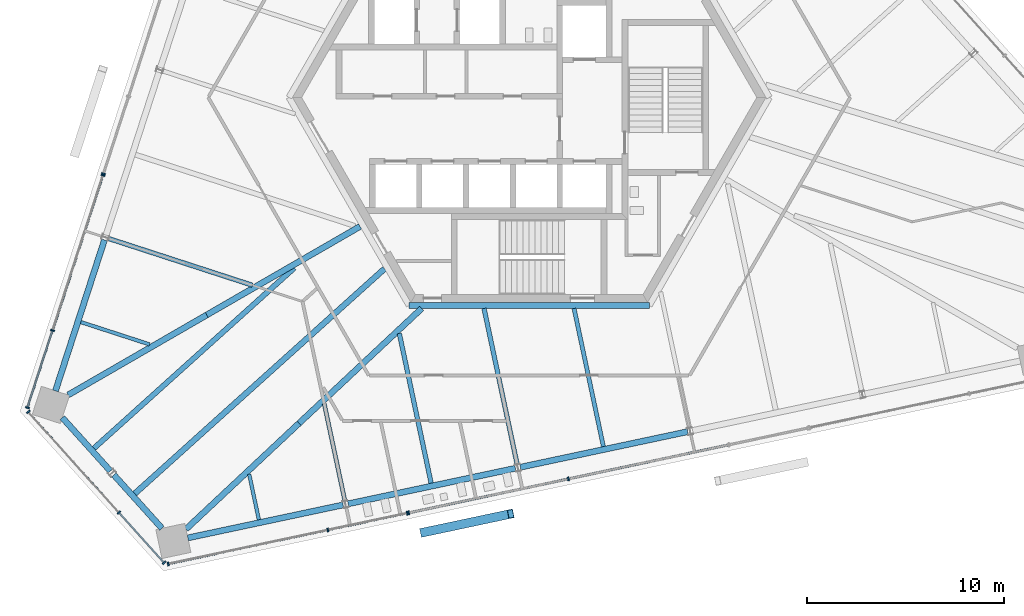
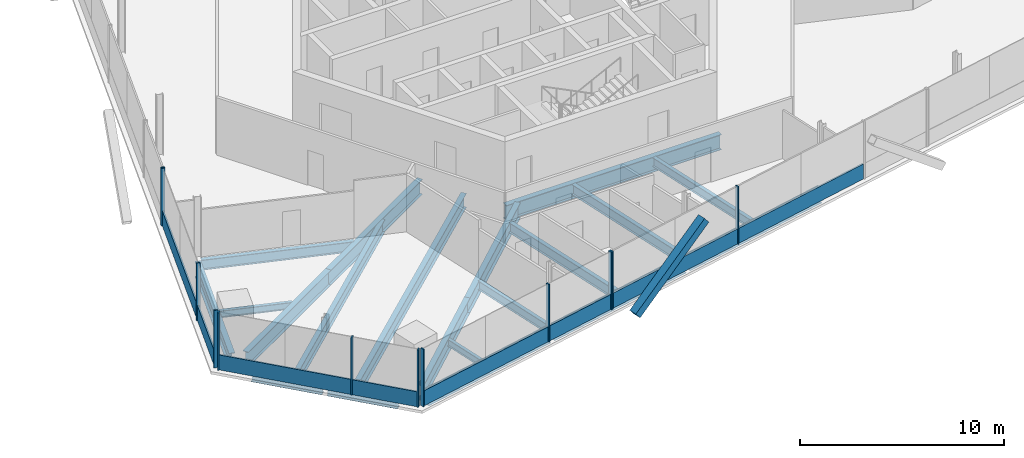
# One storey, part 4 of 15: 21 members, 20 beams, 5 elements without a shape of their own.
"""IFC4 building model written with IfcOpenShell, lengths in metres."""

from ifc_helpers import new_model, si_unit, direction, frame, origin, origin_2d, place, context, subcontext, project, spatial, rectangle, hollow_rectangle, i_section, extrude, source, transform, mapped, material, material_profile, profile_set, type_object, element, aggregate, save


model = new_model("IFC4")

# Units and contexts
model_context = context("Model", 3, precision=1e-05, world=origin(), true_north=direction((0.0, 1.0)))
body_context = subcontext(model_context, "Body", "Model", "MODEL_VIEW")
ifc_project = project(units=[si_unit("LENGTHUNIT", "METRE"), si_unit("AREAUNIT", "SQUARE_METRE"), si_unit("VOLUMEUNIT", "CUBIC_METRE"), si_unit("PLANEANGLEUNIT", "RADIAN"), si_unit("MASSUNIT", "GRAM", prefix="KILO")], contexts=[model_context])

# Site, building, storey
site_placement = place(None, origin())
site = spatial("IfcSite", under=ifc_project, at=site_placement, CompositionType="ELEMENT")
building_placement = place(site_placement, origin())
building = spatial("IfcBuilding", under=site, at=building_placement, Name="Triune Harvest Tower", CompositionType="ELEMENT")
storey_placement = place(building_placement, frame((0.0, 0.0, 270.300048828125)))
storey = spatial("IfcBuildingStorey", under=building, at=storey_placement, Name="L71", CompositionType="ELEMENT", Elevation=270.300048828125)

# Beams
ifc_material_1 = material(Name="Steel ASTM A992 Gr 50", Category="steel")
ifc_material_profile_1 = material_profile(ifc_material_1, i_section(OverallWidth=0.3046875, OverallDepth=0.914306640625, WebThickness=0.0166015625, FlangeThickness=0.02587890625, at=origin_2d()), Name="W36x160")
ifc_profile_set_1 = profile_set([ifc_material_profile_1], Name="Steel ASTM A992 Gr 50")
beam_type_1 = type_object("IfcBeamType", Name="CG-1 Core ring girder W36x160", PredefinedType="BEAM", material=ifc_profile_set_1)
shared_shape_1 = source(origin(), body_context, "Body", "SweptSolid", [
    extrude(i_section(OverallWidth=0.3046875, OverallDepth=0.914306640625, WebThickness=0.0166015625, FlangeThickness=0.02587890625, at=origin_2d()), origin(), (0.0, 0.0, 1.0), 12.17578125),
])
beam_1_placement = place(storey_placement, frame((-6.087890625, -10.544677734375, -0.6171875), z_axis=(1.0, 0.0, 0.0), x_axis=(0.0, 1.0, 0.0)))
element("IfcBeam", 1, at=beam_1_placement, inside=storey, type_object=beam_type_1, Name="beam/L71/CG5", PredefinedType="BEAM", context=body_context, shape_type="MappedRepresentation", body=[
    mapped(shared_shape_1, transform((0.0, 0.0, 0.0), scale=1.0)),
])
ifc_material_2 = material(Name="Steel ASTM A992 Gr 50", Category="steel")
ifc_material_profile_2 = material_profile(ifc_material_2, i_section(OverallWidth=0.3046875, OverallDepth=0.914306640625, WebThickness=0.0166015625, FlangeThickness=0.02587890625, at=origin_2d()), Name="W36x160")
ifc_profile_set_2 = profile_set([ifc_material_profile_2], Name="Steel ASTM A992 Gr 50")
beam_type_2 = type_object("IfcBeamType", Name="HG-3 Hip girder W36x160", PredefinedType="BEAM", material=ifc_profile_set_2)
shared_shape_2 = source(origin(), body_context, "Body", "SweptSolid", [
    extrude(i_section(OverallWidth=0.3046875, OverallDepth=0.914306640625, WebThickness=0.0166015625, FlangeThickness=0.02587890625, at=origin_2d()), origin(), (0.0, 0.0, 1.0), 8.97265625),
])
beam_2_placement = place(storey_placement, frame((-16.34619140625, -11.02734375, -0.6171875), z_axis=(0.866024277037, 0.500001951578, 0.0), x_axis=(-0.500001951578, 0.866024277037, 0.0)))
element("IfcBeam", 2, at=beam_2_placement, inside=storey, type_object=beam_type_2, Name="beam/L71/HG5", PredefinedType="BEAM", context=body_context, shape_type="MappedRepresentation", body=[
    mapped(shared_shape_2, transform((0.0, 0.0, 0.0), scale=1.0)),
])
ifc_material_3 = material(Name="Steel ASTM A992 Gr 50", Category="steel")
ifc_material_profile_3 = material_profile(ifc_material_3, i_section(OverallWidth=0.3046875, OverallDepth=0.914306640625, WebThickness=0.0166015625, FlangeThickness=0.02587890625, at=origin_2d()), Name="W36x160")
ifc_profile_set_3 = profile_set([ifc_material_profile_3], Name="Steel ASTM A992 Gr 50")
beam_type_3 = type_object("IfcBeamType", Name="SB-1 Spandrel beam W36x160", PredefinedType="SPANDREL", material=ifc_profile_set_3)
shared_shape_3 = source(origin(), body_context, "Body", "SweptSolid", [
    extrude(i_section(OverallWidth=0.3046875, OverallDepth=0.914306640625, WebThickness=0.0166015625, FlangeThickness=0.02587890625, at=origin_2d()), origin(), (0.0, 0.0, 1.0), 8.0498046875),
])
beam_3_placement = place(storey_placement, frame((-21.529296875, -7.220703125, -0.6171875), z_axis=(-0.30902160762, -0.951055017348, 0.0), x_axis=(0.951055017348, -0.30902160762, 0.0)))
element("IfcBeam", 3, at=beam_3_placement, inside=storey, type_object=beam_type_3, Name="beam/L71/SB12", PredefinedType="SPANDREL", context=body_context, shape_type="MappedRepresentation", body=[
    mapped(shared_shape_3, transform((0.0, 0.0, 0.0), scale=1.0)),
])
shared_shape_4 = source(origin(), body_context, "Body", "SweptSolid", [
    extrude(i_section(OverallWidth=0.3046875, OverallDepth=0.914306640625, WebThickness=0.0166015625, FlangeThickness=0.02587890625, at=origin_2d()), origin(), (0.0, 0.0, 1.0), 8.67138671875),
])
for number, where, z_axis, x_axis, name in (
    (4, (-9.1806640625, -20.603271484375, -0.6171875), (0.978145539793, 0.207921386546, 0.0), (-0.207921386546, 0.978145539793, 0.0), "beam/L71/SB16"),
    (5, (-0.44775390625, -18.7470703125, -0.6171875), (0.978145539793, 0.207921386546, 0.0), (-0.207921386546, 0.978145539793, 0.0), "beam/L71/SB17"),
):
    element("IfcBeam", number, at=place(storey_placement, frame(where, z_axis=z_axis, x_axis=x_axis)), inside=storey, type_object=beam_type_3, Name=name, PredefinedType="SPANDREL", context=body_context, shape_type="MappedRepresentation", body=[
        mapped(shared_shape_4, transform((0.0, 0.0, 0.0), scale=1.0)),
    ])
shared_shape_5 = source(origin(), body_context, "Body", "SweptSolid", [
    extrude(i_section(OverallWidth=0.3046875, OverallDepth=0.914306640625, WebThickness=0.0166015625, FlangeThickness=0.02587890625, at=origin_2d()), origin(), (0.0, 0.0, 1.0), 3.645751953125),
])
for number, where, z_axis, x_axis, name in (
    (6, (-23.669189453125, -16.2333984375, -0.6171875), (0.669138606654, -0.743137621901, 0.0), (0.743137621901, 0.669138606654, 0.0), "beam/L71/SB13"),
    (7, (-21.05810546875, -19.13330078125, -0.6171875), (0.669138606654, -0.743137621901, 0.0), (0.743137621901, 0.669138606654, 0.0), "beam/L71/SB14"),
):
    element("IfcBeam", number, at=place(storey_placement, frame(where, z_axis=z_axis, x_axis=x_axis)), inside=storey, type_object=beam_type_3, Name=name, PredefinedType="SPANDREL", context=body_context, shape_type="MappedRepresentation", body=[
        mapped(shared_shape_5, transform((0.0, 0.0, 0.0), scale=1.0)),
    ])
shared_shape_6 = source(origin(), body_context, "Body", "SweptSolid", [
    extrude(i_section(OverallWidth=0.3046875, OverallDepth=0.914306640625, WebThickness=0.0166015625, FlangeThickness=0.02587890625, at=origin_2d()), origin(), (0.0, 0.0, 1.0), 8.049560546875),
])
beam_4_placement = place(storey_placement, frame((-17.305419921875, -22.330322265625, -0.6171875), z_axis=(0.978148597907, 0.207906999431, 0.0), x_axis=(-0.207906999431, 0.978148597907, 0.0)))
element("IfcBeam", 8, at=beam_4_placement, inside=storey, type_object=beam_type_3, Name="beam/L71/SB15", PredefinedType="SPANDREL", context=body_context, shape_type="MappedRepresentation", body=[
    mapped(shared_shape_6, transform((0.0, 0.0, 0.0), scale=1.0)),
])
shared_shape_7 = source(origin(), body_context, "Body", "SweptSolid", [
    extrude(i_section(OverallWidth=0.3046875, OverallDepth=0.914306640625, WebThickness=0.0166015625, FlangeThickness=0.02587890625, at=origin_2d()), origin(), (0.0, 0.0, 1.0), 8.11572265625),
])
beam_5_placement = place(storey_placement, frame((-23.37451171875, -15.085205078125, -0.6171875), z_axis=(0.866022271607, 0.500005425051, 0.0), x_axis=(-0.500005425051, 0.866022271607, 0.0)))
element("IfcBeam", 9, at=beam_5_placement, inside=storey, type_object=beam_type_2, Name="beam/L71/HG4", PredefinedType="BEAM", context=body_context, shape_type="MappedRepresentation", body=[
    mapped(shared_shape_7, transform((0.0, 0.0, 0.0), scale=1.0)),
])
shared_shape_8 = source(origin(), body_context, "Body", "SweptSolid", [
    extrude(i_section(OverallWidth=0.3046875, OverallDepth=0.914306640625, WebThickness=0.0166015625, FlangeThickness=0.02587890625, at=origin_2d()), origin(), (0.0, 0.0, 1.0), 7.858642578125),
])
beam_6_placement = place(storey_placement, frame((-17.399658203125, -21.88720703125, -0.6171875), z_axis=(0.729902338859, 0.683551443367, 0.0), x_axis=(-0.683551443367, 0.729902338859, 0.0)))
element("IfcBeam", 10, at=beam_6_placement, inside=storey, type_object=beam_type_2, Name="beam/L71/HG6", PredefinedType="BEAM", context=body_context, shape_type="MappedRepresentation", body=[
    mapped(shared_shape_8, transform((0.0, 0.0, 0.0), scale=1.0)),
])
shared_shape_9 = source(origin(), body_context, "Body", "SweptSolid", [
    extrude(i_section(OverallWidth=0.3046875, OverallDepth=0.914306640625, WebThickness=0.0166015625, FlangeThickness=0.02587890625, at=origin_2d()), origin(), (0.0, 0.0, 1.0), 8.511962890625),
])
beam_7_placement = place(storey_placement, frame((-11.66357421875, -16.515380859375, -0.6171875), z_axis=(0.729902036757, 0.683551765954, 0.0), x_axis=(-0.683551765954, 0.729902036757, 0.0)))
element("IfcBeam", 11, at=beam_7_placement, inside=storey, type_object=beam_type_2, Name="beam/L71/HG7", PredefinedType="BEAM", context=body_context, shape_type="MappedRepresentation", body=[
    mapped(shared_shape_9, transform((0.0, 0.0, 0.0), scale=1.0)),
])
ifc_material_4 = material(Name="Steel ASTM A992 Gr 50", Category="steel")
ifc_material_profile_4 = material_profile(ifc_material_4, i_section(OverallWidth=0.180908203125, OverallDepth=0.41650390625, WebThickness=0.010986328125, FlangeThickness=0.01806640625, at=origin_2d()), Name="W16x57")
ifc_profile_set_4 = profile_set([ifc_material_profile_4], Name="Steel ASTM A992 Gr 50")
beam_type_4 = type_object("IfcBeamType", Name="JT-1 Floor joist W16x57", PredefinedType="JOIST", material=ifc_profile_set_4)
shared_shape_10 = source(origin(), body_context, "Body", "SweptSolid", [
    extrude(i_section(OverallWidth=0.180908203125, OverallDepth=0.41650390625, WebThickness=0.010986328125, FlangeThickness=0.01806640625, at=origin_2d()), origin(), (0.0, 0.0, 1.0), 2.364990234375),
])
beam_8_placement = place(storey_placement, frame((-13.704345703125, -21.4091796875, -0.368408203125), z_axis=(-0.207914315996, 0.978147042731, 0.0), x_axis=(-0.978147042731, -0.207914315996, 0.0)))
element("IfcBeam", 12, at=beam_8_placement, inside=storey, type_object=beam_type_4, Name="beam/L71/JT23", PredefinedType="JOIST", context=body_context, shape_type="MappedRepresentation", body=[
    mapped(shared_shape_10, transform((0.0, 0.0, 0.0), scale=1.0)),
])
ifc_material_5 = material(Name="Steel ASTM A992 Gr 50", Category="steel")
ifc_material_profile_5 = material_profile(ifc_material_5, i_section(OverallWidth=0.2099609375, OverallDepth=0.535888671875, WebThickness=0.010986328125, FlangeThickness=0.017333984375, at=origin_2d()), Name="W21x68")
ifc_profile_set_5 = profile_set([ifc_material_profile_5], Name="Steel ASTM A992 Gr 50")
beam_type_5 = type_object("IfcBeamType", Name="JT-2 Floor joist W21x68", PredefinedType="JOIST", material=ifc_profile_set_5)
shared_shape_11 = source(origin(), body_context, "Body", "SweptSolid", [
    extrude(i_section(OverallWidth=0.2099609375, OverallDepth=0.535888671875, WebThickness=0.010986328125, FlangeThickness=0.017333984375, at=origin_2d()), origin(), (0.0, 0.0, 1.0), 5.031982421875),
])
beam_9_placement = place(storey_placement, frame((-9.34375, -20.45361328125, -0.427978515625), z_axis=(-0.207895312057, 0.978151082004, 0.0), x_axis=(-0.978151082004, -0.207895312057, 0.0)))
element("IfcBeam", 13, at=beam_9_placement, inside=storey, type_object=beam_type_5, Name="beam/L71/JT24", PredefinedType="JOIST", context=body_context, shape_type="MappedRepresentation", body=[
    mapped(shared_shape_11, transform((0.0, 0.0, 0.0), scale=1.0)),
])
ifc_material_6 = material(Name="Steel ASTM A992 Gr 50", Category="steel")
ifc_material_profile_6 = material_profile(ifc_material_6, i_section(OverallWidth=0.22900390625, OverallDepth=0.612060546875, WebThickness=0.011962890625, FlangeThickness=0.01953125, at=origin_2d()), Name="W24x84")
ifc_profile_set_6 = profile_set([ifc_material_profile_6], Name="Steel ASTM A992 Gr 50")
beam_type_6 = type_object("IfcBeamType", Name="JT-3 Floor joist W24x84", PredefinedType="JOIST", material=ifc_profile_set_6)
shared_shape_12 = source(origin(), body_context, "Body", "SweptSolid", [
    extrude(i_section(OverallWidth=0.22900390625, OverallDepth=0.612060546875, WebThickness=0.011962890625, FlangeThickness=0.01953125, at=origin_2d()), origin(), (0.0, 0.0, 1.0), 7.755126953125),
])
beam_10_placement = place(storey_placement, frame((-4.971435546875, -19.552734375, -0.466064453125), z_axis=(-0.20790130149, 0.978149808996, 0.0), x_axis=(-0.978149808996, -0.20790130149, 0.0)))
element("IfcBeam", 14, at=beam_10_placement, inside=storey, type_object=beam_type_6, Name="beam/L71/JT25", PredefinedType="JOIST", context=body_context, shape_type="MappedRepresentation", body=[
    mapped(shared_shape_12, transform((0.0, 0.0, 0.0), scale=1.0)),
])
shared_shape_13 = source(origin(), body_context, "Body", "SweptSolid", [
    extrude(i_section(OverallWidth=0.22900390625, OverallDepth=0.612060546875, WebThickness=0.011962890625, FlangeThickness=0.01953125, at=origin_2d()), origin(), (0.0, 0.0, 1.0), 8.076904296875),
])
beam_11_placement = place(storey_placement, frame((-0.61083984375, -18.597412109375, -0.466064453125), z_axis=(-0.207902137341, 0.978149631339, 0.0), x_axis=(-0.978149631339, -0.207902137341, 0.0)))
element("IfcBeam", 15, at=beam_11_placement, inside=storey, type_object=beam_type_6, Name="beam/L71/JT26", PredefinedType="JOIST", context=body_context, shape_type="MappedRepresentation", body=[
    mapped(shared_shape_13, transform((0.0, 0.0, 0.0), scale=1.0)),
])
shared_shape_14 = source(origin(), body_context, "Body", "SweptSolid", [
    extrude(i_section(OverallWidth=0.22900390625, OverallDepth=0.612060546875, WebThickness=0.011962890625, FlangeThickness=0.01953125, at=origin_2d()), origin(), (0.0, 0.0, 1.0), 7.6533203125),
])
beam_12_placement = place(storey_placement, frame((-21.318115234375, -7.154541015625, -0.466064453125), z_axis=(0.951057977144, -0.309012498309, 0.0), x_axis=(0.309012498309, 0.951057977144, 0.0)))
element("IfcBeam", 16, at=beam_12_placement, inside=storey, type_object=beam_type_6, Name="beam/L71/JT19", PredefinedType="JOIST", context=body_context, shape_type="MappedRepresentation", body=[
    mapped(shared_shape_14, transform((0.0, 0.0, 0.0), scale=1.0)),
])
shared_shape_15 = source(origin(), body_context, "Body", "SweptSolid", [
    extrude(i_section(OverallWidth=0.180908203125, OverallDepth=0.41650390625, WebThickness=0.010986328125, FlangeThickness=0.01806640625, at=origin_2d()), origin(), (0.0, 0.0, 1.0), 3.661865234375),
])
beam_13_placement = place(storey_placement, frame((-22.72412109375, -11.391357421875, -0.368408203125), z_axis=(0.951056113966, -0.309018232614, 0.0), x_axis=(0.309018232614, 0.951056113966, 0.0)))
element("IfcBeam", 17, at=beam_13_placement, inside=storey, type_object=beam_type_4, Name="beam/L71/JT20", PredefinedType="JOIST", context=body_context, shape_type="MappedRepresentation", body=[
    mapped(shared_shape_15, transform((0.0, 0.0, 0.0), scale=1.0)),
])
ifc_material_7 = material(Name="Steel ASTM A992 Gr 50", Category="steel")
ifc_material_profile_7 = material_profile(ifc_material_7, i_section(OverallWidth=0.2666015625, OverallDepth=0.7568359375, WebThickness=0.013916015625, FlangeThickness=0.019287109375, at=origin_2d()), Name="W30x108")
ifc_profile_set_7 = profile_set([ifc_material_profile_7], Name="Steel ASTM A992 Gr 50")
beam_type_7 = type_object("IfcBeamType", Name="JT-5 Floor joist W30x108", PredefinedType="JOIST", material=ifc_profile_set_7)
shared_shape_16 = source(origin(), body_context, "Body", "SweptSolid", [
    extrude(i_section(OverallWidth=0.2666015625, OverallDepth=0.7568359375, WebThickness=0.013916015625, FlangeThickness=0.019287109375, at=origin_2d()), origin(), (0.0, 0.0, 1.0), 13.667724609375),
])
beam_14_placement = place(storey_placement, frame((-22.0654296875, -17.78662109375, -0.53857421875), z_axis=(0.743148465952, 0.66912656318, 0.0), x_axis=(-0.66912656318, 0.743148465952, 0.0)))
element("IfcBeam", 18, at=beam_14_placement, inside=storey, type_object=beam_type_7, Name="beam/L71/JT21", PredefinedType="JOIST", context=body_context, shape_type="MappedRepresentation", body=[
    mapped(shared_shape_16, transform((0.0, 0.0, 0.0), scale=1.0)),
])
ifc_material_8 = material(Name="Steel ASTM A992 Gr 50", Category="steel")
ifc_material_profile_8 = material_profile(ifc_material_8, i_section(OverallWidth=0.2919921875, OverallDepth=0.8408203125, WebThickness=0.0146484375, FlangeThickness=0.021728515625, at=origin_2d()), Name="W33x130")
ifc_profile_set_8 = profile_set([ifc_material_profile_8], Name="Steel ASTM A992 Gr 50")
beam_type_8 = type_object("IfcBeamType", Name="JT-6 Floor joist W33x130", PredefinedType="JOIST", material=ifc_profile_set_8)
shared_shape_17 = source(origin(), body_context, "Body", "SweptSolid", [
    extrude(i_section(OverallWidth=0.2919921875, OverallDepth=0.8408203125, WebThickness=0.0146484375, FlangeThickness=0.021728515625, at=origin_2d()), origin(), (0.0, 0.0, 1.0), 17.03466796875),
])
beam_15_placement = place(storey_placement, frame((-19.99560546875, -20.08544921875, -0.58056640625), z_axis=(0.743143047387, 0.669132581123, 0.0), x_axis=(-0.669132581123, 0.743143047387, 0.0)))
element("IfcBeam", 19, at=beam_15_placement, inside=storey, type_object=beam_type_8, Name="beam/L71/JT22", PredefinedType="JOIST", context=body_context, shape_type="MappedRepresentation", body=[
    mapped(shared_shape_17, transform((0.0, 0.0, 0.0), scale=1.0)),
])
shared_shape_18 = source(origin(), body_context, "Body", "SweptSolid", [
    extrude(i_section(OverallWidth=0.2099609375, OverallDepth=0.535888671875, WebThickness=0.010986328125, FlangeThickness=0.017333984375, at=origin_2d()), origin(), (0.0, 0.0, 1.0), 7.156005859375),
])
beam_16_placement = place(storey_placement, frame((3.761474609375, -17.696533203125, -0.427978515625), z_axis=(-0.207911801049, 0.978147577303, 0.0), x_axis=(-0.978147577303, -0.207911801049, 0.0)))
element("IfcBeam", 20, at=beam_16_placement, inside=storey, type_object=beam_type_5, Name="beam/L71/JT27", PredefinedType="JOIST", context=body_context, shape_type="MappedRepresentation", body=[
    mapped(shared_shape_18, transform((0.0, 0.0, 0.0), scale=1.0)),
])

# Member
ifc_material_9 = material(Name="Steel ASTM A572 Gr 50", Category="steel")
ifc_material_profile_9 = material_profile(ifc_material_9, hollow_rectangle(XDim=0.449951171875, YDim=0.449951171875, WallThickness=0.02490234375, at=origin_2d()), Name="Box 450x450x25")
ifc_profile_set_9 = profile_set([ifc_material_profile_9], Name="Steel ASTM A572 Gr 50")
member_type_1 = type_object("IfcMemberType", Name="BR-4 Brace Box 450x450x25", PredefinedType="BRACE", material=ifc_profile_set_9)
shared_shape_19 = source(origin(), body_context, "Body", "SweptSolid", [
    extrude(hollow_rectangle(XDim=0.449951171875, YDim=0.449951171875, WallThickness=0.02490234375, at=origin_2d()), origin(), (0.0, 0.0, 1.0), 5.7890625),
])
member_1_placement = place(storey_placement, frame((-5.371826171875, -22.0537109375, 0.0), z_axis=(0.766029525278, 0.162829773018, 0.621840197656), x_axis=(-0.207918008245, 0.978146257902, 0.0)))
element("IfcMember", 21, at=member_1_placement, inside=storey, type_object=member_type_1, Name="brace/B7-F5/d1/4", PredefinedType="BRACE", context=body_context, shape_type="MappedRepresentation", body=[
    mapped(shared_shape_19, transform((0.0, 0.0, 0.0), scale=1.0)),
])

# Curtain wall, member
ifc_material_10 = material(Name="Aluminium bronze anodised", Category="aluminium")
curtain_wall_type_1 = type_object("IfcCurtainWallType", Name="CW-7 Tower stick curtain wall with insulated spandrel infill", PredefinedType="NOTDEFINED", material=ifc_material_10)
curtain_wall_1_placement = place(storey_placement, origin())
curtain_wall_1 = element("IfcCurtainWall", 22, at=curtain_wall_1_placement, inside=storey, type_object=curtain_wall_type_1, Name="CW-7 B7-F3 L71 run 1001")
ifc_material_11 = material(Name="Aluminium bronze anodised", Category="aluminium")
ifc_material_profile_10 = material_profile(ifc_material_11, rectangle(XDim=0.199951171875, YDim=0.074951171875, at=origin_2d()), Name="MU-1 mullion 75 x 200")
ifc_profile_set_10 = profile_set([ifc_material_profile_10], Name="Aluminium bronze anodised")
member_type_2 = type_object("IfcMemberType", Name="MU-1 mullion 75 x 200", PredefinedType="MULLION", material=ifc_profile_set_10)
shared_shape_20 = source(origin(), body_context, "Body", "SweptSolid", [
    extrude(rectangle(XDim=0.199951171875, YDim=0.074951171875, at=origin_2d()), origin(), (0.0, 0.0, 1.0), 3.43994140625),
])
member_2_placement = place(storey_placement, frame((-21.582763671875, -3.8720703125, 0.0), z_axis=(0.0, 0.0, 1.0), x_axis=(0.951055533932, -0.309020017761, 0.0)))
member_2 = element("IfcMember", 23, at=member_2_placement, type_object=member_type_2, Name="CW-7 mullion B7-F3 1001.6", PredefinedType="MULLION", context=body_context, shape_type="MappedRepresentation", body=[
    mapped(shared_shape_20, transform((0.0, 0.0, 0.0), scale=1.0)),
])
aggregate(curtain_wall_1, [member_2])

# Curtain wall, members
ifc_material_12 = material(Name="Aluminium bronze anodised", Category="aluminium")
curtain_wall_type_2 = type_object("IfcCurtainWallType", Name="CW-1 Tower stick curtain wall", PredefinedType="NOTDEFINED", material=ifc_material_12)
curtain_wall_2_placement = place(storey_placement, origin())
curtain_wall_2 = element("IfcCurtainWall", 24, at=curtain_wall_2_placement, inside=storey, type_object=curtain_wall_type_2, Name="CW-1 B7-F3 L71 run 2001")
member_3_placement = place(storey_placement, frame((-21.60595703125, -3.943359375, 0.0), z_axis=(0.0, 0.0, 1.0), x_axis=(0.951057715783, -0.309013302707, 0.0)))
member_3 = element("IfcMember", 25, at=member_3_placement, type_object=member_type_2, Name="CW-1 mullion B7-F3 2001.1", PredefinedType="MULLION", context=body_context, shape_type="MappedRepresentation", body=[
    mapped(shared_shape_20, transform((0.0, 0.0, 0.0), scale=1.0)),
])
member_4_placement = place(storey_placement, frame((-24.162841796875, -11.8125, 0.0), z_axis=(0.0, 0.0, 1.0), x_axis=(0.951057715783, -0.309013302707, 0.0)))
member_4 = element("IfcMember", 26, at=member_4_placement, type_object=member_type_2, Name="CW-1 mullion B7-F3 2001.3", PredefinedType="MULLION", context=body_context, shape_type="MappedRepresentation", body=[
    mapped(shared_shape_20, transform((0.0, 0.0, 0.0), scale=1.0)),
])
member_5_placement = place(storey_placement, frame((-25.435302734375, -15.729248046875, 0.0), z_axis=(0.0, 0.0, 1.0), x_axis=(0.951057715783, -0.309013302707, 0.0)))
member_5 = element("IfcMember", 27, at=member_5_placement, type_object=member_type_2, Name="CW-1 mullion B7-F3 2001.4", PredefinedType="MULLION", context=body_context, shape_type="MappedRepresentation", body=[
    mapped(shared_shape_20, transform((0.0, 0.0, 0.0), scale=1.0)),
])

curtain_wall_3_placement = place(storey_placement, origin())
curtain_wall_3 = element("IfcCurtainWall", 28, at=curtain_wall_3_placement, inside=storey, type_object=curtain_wall_type_2, Name="CW-1 B7-F4 L71 run 1")
member_6_placement = place(storey_placement, frame((-25.389404296875, -15.9453125, 0.0), z_axis=(0.0, 0.0, 1.0), x_axis=(0.743143542297, 0.669132031472, 0.0)))
member_6 = element("IfcMember", 29, at=member_6_placement, type_object=member_type_2, Name="CW-1 mullion B7-F4 1.1", PredefinedType="MULLION", context=body_context, shape_type="MappedRepresentation", body=[
    mapped(shared_shape_20, transform((0.0, 0.0, 0.0), scale=1.0)),
])
member_7_placement = place(storey_placement, frame((-20.7958984375, -21.046875, 0.0), z_axis=(0.0, 0.0, 1.0), x_axis=(0.743143542297, 0.669132031472, 0.0)))
member_7 = element("IfcMember", 30, at=member_7_placement, type_object=member_type_2, Name="CW-1 mullion B7-F4 1.3", PredefinedType="MULLION", context=body_context, shape_type="MappedRepresentation", body=[
    mapped(shared_shape_20, transform((0.0, 0.0, 0.0), scale=1.0)),
])
member_8_placement = place(storey_placement, frame((-18.51171875, -23.583740234375, 0.0), z_axis=(0.0, 0.0, 1.0), x_axis=(0.743143542297, 0.669132031472, 0.0)))
member_8 = element("IfcMember", 31, at=member_8_placement, type_object=member_type_2, Name="CW-1 mullion B7-F4 1.4", PredefinedType="MULLION", context=body_context, shape_type="MappedRepresentation", body=[
    mapped(shared_shape_20, transform((0.0, 0.0, 0.0), scale=1.0)),
])

curtain_wall_4_placement = place(storey_placement, origin())
curtain_wall_4 = element("IfcCurtainWall", 32, at=curtain_wall_4_placement, inside=storey, type_object=curtain_wall_type_2, Name="CW-1 B7-F5 L71 run 1")
member_9_placement = place(storey_placement, frame((-18.3017578125, -23.65185546875, 0.0), z_axis=(0.0, 0.0, 1.0), x_axis=(-0.207909221248, 0.978148125654, 0.0)))
member_9 = element("IfcMember", 33, at=member_9_placement, type_object=member_type_2, Name="CW-1 mullion B7-F5 1.1", PredefinedType="MULLION", context=body_context, shape_type="MappedRepresentation", body=[
    mapped(shared_shape_20, transform((0.0, 0.0, 0.0), scale=1.0)),
])
member_10_placement = place(storey_placement, frame((-10.20849609375, -21.931640625, 0.0), z_axis=(0.0, 0.0, 1.0), x_axis=(-0.207909221248, 0.978148125654, 0.0)))
member_10 = element("IfcMember", 34, at=member_10_placement, type_object=member_type_2, Name="CW-1 mullion B7-F5 1.3", PredefinedType="MULLION", context=body_context, shape_type="MappedRepresentation", body=[
    mapped(shared_shape_20, transform((0.0, 0.0, 0.0), scale=1.0)),
])
member_11_placement = place(storey_placement, frame((-6.18017578125, -21.075439453125, 0.0), z_axis=(0.0, 0.0, 1.0), x_axis=(-0.207909221248, 0.978148125654, 0.0)))
member_11 = element("IfcMember", 35, at=member_11_placement, type_object=member_type_2, Name="CW-1 mullion B7-F5 1.4", PredefinedType="MULLION", context=body_context, shape_type="MappedRepresentation", body=[
    mapped(shared_shape_20, transform((0.0, 0.0, 0.0), scale=1.0)),
])

curtain_wall_5_placement = place(storey_placement, origin())
curtain_wall_5 = element("IfcCurtainWall", 36, at=curtain_wall_5_placement, inside=storey, type_object=curtain_wall_type_1, Name="CW-7 B7-F5 L71 run 1001")
member_12_placement = place(storey_placement, frame((-6.10693359375, -21.059814453125, 0.0), z_axis=(0.0, 0.0, 1.0), x_axis=(-0.207913090389, 0.978147303245, 0.0)))
member_12 = element("IfcMember", 37, at=member_12_placement, type_object=member_type_2, Name="CW-7 mullion B7-F5 1001.1", PredefinedType="MULLION", context=body_context, shape_type="MappedRepresentation", body=[
    mapped(shared_shape_20, transform((0.0, 0.0, 0.0), scale=1.0)),
])
member_13_placement = place(storey_placement, frame((1.986328125, -19.339599609375, 0.0), z_axis=(0.0, 0.0, 1.0), x_axis=(-0.207913090389, 0.978147303245, 0.0)))
member_13 = element("IfcMember", 38, at=member_13_placement, type_object=member_type_2, Name="CW-7 mullion B7-F5 1001.3", PredefinedType="MULLION", context=body_context, shape_type="MappedRepresentation", body=[
    mapped(shared_shape_20, transform((0.0, 0.0, 0.0), scale=1.0)),
])

# Member
ifc_material_13 = material(Name="Aluminium bronze anodised", Category="aluminium")
ifc_material_profile_11 = material_profile(ifc_material_13, rectangle(XDim=0.090087890625, YDim=0.89990234375, at=origin_2d()), Name="TR-1 transom 90 x 900")
ifc_profile_set_11 = profile_set([ifc_material_profile_11], Name="Aluminium bronze anodised")
member_type_3 = type_object("IfcMemberType", Name="TR-1 transom 90 x 900", PredefinedType="USERDEFINED", material=ifc_profile_set_11)
shared_shape_21 = source(origin(), body_context, "Body", "SweptSolid", [
    extrude(rectangle(XDim=0.090087890625, YDim=0.89990234375, at=origin_2d()), origin(), (0.0, 0.0, 1.0), 6.7900390625),
])
member_14_placement = place(storey_placement, frame((-25.364501953125, -15.97314453125, 0.449951171875), z_axis=(0.669139526396, -0.743136793743, 0.0), x_axis=(0.743136793743, 0.669139526396, 0.0)))
member_14 = element("IfcMember", 39, at=member_14_placement, type_object=member_type_3, Name="CW-1 transom B7-F4 1.1", ObjectType="TRANSOM", PredefinedType="USERDEFINED", context=body_context, shape_type="MappedRepresentation", body=[
    mapped(shared_shape_21, transform((0.0, 0.0, 0.0), scale=1.0)),
])

shared_shape_22 = source(origin(), body_context, "Body", "SweptSolid", [
    extrude(rectangle(XDim=0.090087890625, YDim=0.89990234375, at=origin_2d()), origin(), (0.0, 0.0, 1.0), 3.338623046875),
])
member_15_placement = place(storey_placement, frame((-20.77099609375, -21.07470703125, 0.449951171875), z_axis=(0.66917479026, -0.743105039736, 0.0), x_axis=(0.743105039736, 0.66917479026, 0.0)))
member_15 = element("IfcMember", 40, at=member_15_placement, type_object=member_type_3, Name="CW-1 transom B7-F4 1.2", ObjectType="TRANSOM", PredefinedType="USERDEFINED", context=body_context, shape_type="MappedRepresentation", body=[
    mapped(shared_shape_22, transform((0.0, 0.0, 0.0), scale=1.0)),
])

aggregate(curtain_wall_3, [member_6, member_7, member_8, member_14, member_15])

shared_shape_23 = source(origin(), body_context, "Body", "SweptSolid", [
    extrude(rectangle(XDim=0.090087890625, YDim=0.89990234375, at=origin_2d()), origin(), (0.0, 0.0, 1.0), 8.198974609375),
])
member_16_placement = place(storey_placement, frame((-21.61767578125, -3.97900390625, 0.449951171875), z_axis=(-0.308991809103, -0.951064699117, 0.0), x_axis=(0.951064699117, -0.308991809103, 0.0)))
member_16 = element("IfcMember", 41, at=member_16_placement, type_object=member_type_3, Name="CW-1 transom B7-F3 2001.1", ObjectType="TRANSOM", PredefinedType="USERDEFINED", context=body_context, shape_type="MappedRepresentation", body=[
    mapped(shared_shape_23, transform((0.0, 0.0, 0.0), scale=1.0)),
])

member_17_placement = place(storey_placement, frame((-6.070068359375, -21.052001953125, 0.449951171875), z_axis=(0.978149238743, 0.207903984441, 0.0), x_axis=(-0.207903984441, 0.978149238743, 0.0)))
member_17 = element("IfcMember", 42, at=member_17_placement, type_object=member_type_3, Name="CW-7 transom B7-F5 1001.1", ObjectType="TRANSOM", PredefinedType="USERDEFINED", context=body_context, shape_type="MappedRepresentation", body=[
    mapped(shared_shape_23, transform((0.0, 0.0, 0.0), scale=1.0)),
])

shared_shape_24 = source(origin(), body_context, "Body", "SweptSolid", [
    extrude(rectangle(XDim=0.090087890625, YDim=0.89990234375, at=origin_2d()), origin(), (0.0, 0.0, 1.0), 8.19921875),
])
member_18_placement = place(storey_placement, frame((-18.26513671875, -23.64404296875, 0.449951171875), z_axis=(0.978150525776, 0.207897929101, 0.0), x_axis=(-0.207897929101, 0.978150525776, 0.0)))
member_18 = element("IfcMember", 43, at=member_18_placement, type_object=member_type_3, Name="CW-1 transom B7-F5 1.1", ObjectType="TRANSOM", PredefinedType="USERDEFINED", context=body_context, shape_type="MappedRepresentation", body=[
    mapped(shared_shape_24, transform((0.0, 0.0, 0.0), scale=1.0)),
])

shared_shape_25 = source(origin(), body_context, "Body", "SweptSolid", [
    extrude(rectangle(XDim=0.090087890625, YDim=0.89990234375, at=origin_2d()), origin(), (0.0, 0.0, 1.0), 4.04345703125),
])
member_19_placement = place(storey_placement, frame((-24.17431640625, -11.84814453125, 0.449951171875), z_axis=(-0.309027363751, -0.951053147018, 0.0), x_axis=(0.951053147018, -0.309027363751, 0.0)))
member_19 = element("IfcMember", 44, at=member_19_placement, type_object=member_type_3, Name="CW-1 transom B7-F3 2001.2", ObjectType="TRANSOM", PredefinedType="USERDEFINED", context=body_context, shape_type="MappedRepresentation", body=[
    mapped(shared_shape_25, transform((0.0, 0.0, 0.0), scale=1.0)),
])

aggregate(curtain_wall_2, [member_3, member_4, member_5, member_16, member_19])

member_20_placement = place(storey_placement, frame((-10.171875, -21.923828125, 0.449951171875), z_axis=(0.978152712315, 0.207887641265, 0.0), x_axis=(-0.207887641265, 0.978152712315, 0.0)))
member_20 = element("IfcMember", 45, at=member_20_placement, type_object=member_type_3, Name="CW-1 transom B7-F5 1.2", ObjectType="TRANSOM", PredefinedType="USERDEFINED", context=body_context, shape_type="MappedRepresentation", body=[
    mapped(shared_shape_25, transform((0.0, 0.0, 0.0), scale=1.0)),
])

aggregate(curtain_wall_4, [member_9, member_10, member_11, member_18, member_20])

shared_shape_26 = source(origin(), body_context, "Body", "SweptSolid", [
    extrude(rectangle(XDim=0.090087890625, YDim=0.89990234375, at=origin_2d()), origin(), (0.0, 0.0, 1.0), 8.236328125),
])
member_21_placement = place(storey_placement, frame((2.023193359375, -19.331787109375, 0.449951171875), z_axis=(0.978142500488, 0.20793568414, 0.0), x_axis=(-0.20793568414, 0.978142500488, 0.0)))
member_21 = element("IfcMember", 46, at=member_21_placement, type_object=member_type_3, Name="CW-7 transom B7-F5 1001.2", ObjectType="TRANSOM", PredefinedType="USERDEFINED", context=body_context, shape_type="MappedRepresentation", body=[
    mapped(shared_shape_26, transform((0.0, 0.0, 0.0), scale=1.0)),
])

aggregate(curtain_wall_5, [member_12, member_13, member_17, member_21])

save(model, "model.ifc")
